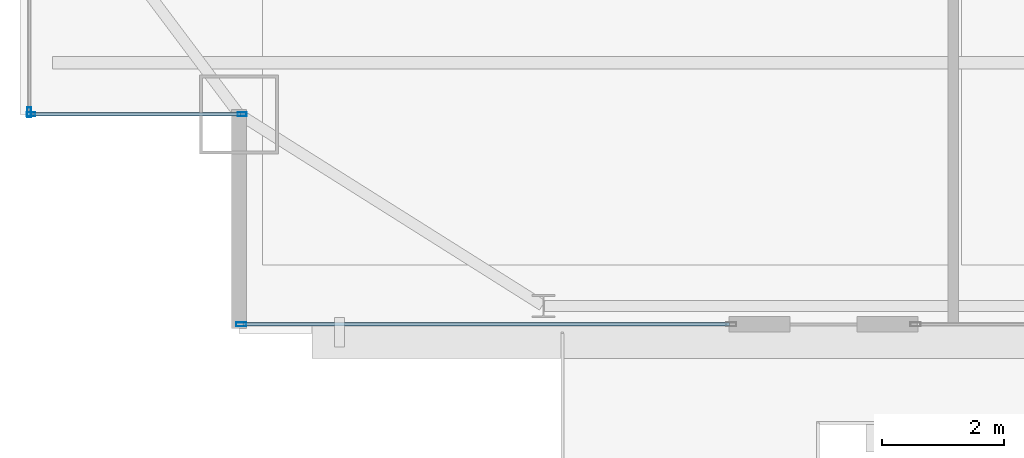
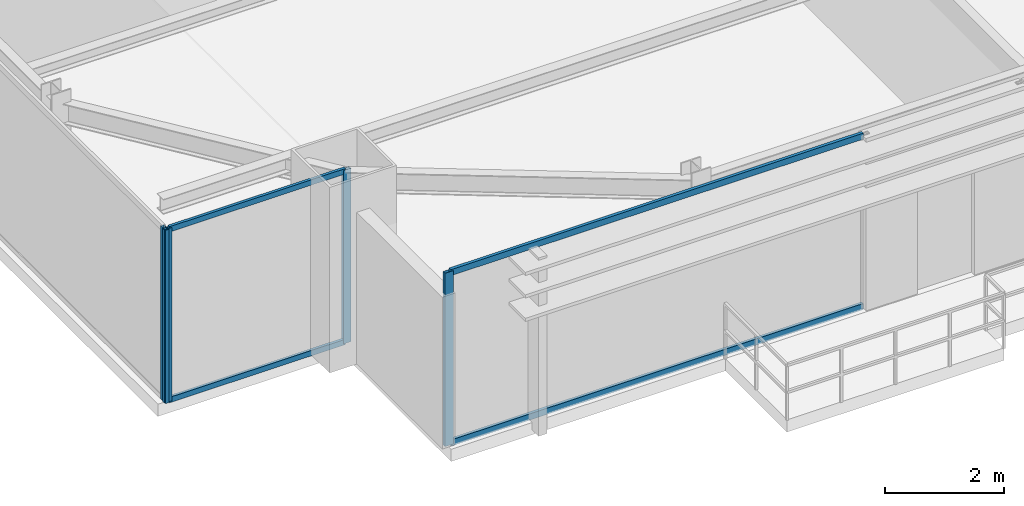
# One storey, part 4 of 31: 8 members, 3 elements without a shape of their own.
"""IFC4 building model written with IfcOpenShell, lengths in metres."""

from ifc_helpers import new_model, si_unit, direction, frame, origin, origin_2d, place, context, subcontext, project, spatial, hollow_rectangle, extrude, source, transform, mapped, material, layer, layer_set, material_profile, profile_set, type_object, type_shapes, element, aggregate, save


model = new_model("IFC4")

# Units and contexts
model_context = context("Model", 3, precision=1e-05, world=origin(), true_north=direction((0.0, 1.0)))
body_context = subcontext(model_context, "Body", "Model", "MODEL_VIEW")
ifc_project = project(units=[si_unit("LENGTHUNIT", "METRE"), si_unit("AREAUNIT", "SQUARE_METRE"), si_unit("VOLUMEUNIT", "CUBIC_METRE"), si_unit("PLANEANGLEUNIT", "RADIAN"), si_unit("MASSUNIT", "GRAM", prefix="KILO")], contexts=[model_context])

# Site, building, storey
site_placement = place(None, origin())
site = spatial("IfcSite", under=ifc_project, at=site_placement, CompositionType="ELEMENT")
building_placement = place(site_placement, origin())
building = spatial("IfcBuilding", under=site, at=building_placement, Name="Varnel Quay Broadcast Tower", CompositionType="ELEMENT")
storey_placement = place(building_placement, frame((0.0, 0.0, 153.39990234375)))
storey = spatial("IfcBuildingStorey", under=building, at=storey_placement, Name="L37", CompositionType="ELEMENT", Elevation=153.39990234375)

# Curtain wall, members
ifc_material = material(Name="Anodised Bronze Aluminium 6063-T6", Category="aluminium")
ifc_layer_1 = layer(ifc_material, 0.18994140625, Name="Anodised Bronze Aluminium 6063-T6")
ifc_layer_set_1 = layer_set([ifc_layer_1], Name="Anodised Bronze Aluminium 6063-T6")
curtain_wall_type_1 = type_object("IfcCurtainWallType", Name="CW_NotchCorner", PredefinedType="NOTDEFINED", material=ifc_layer_set_1)
curtain_wall_1_placement = place(storey_placement, origin())
curtain_wall_1 = element("IfcCurtainWall", 1, at=curtain_wall_1_placement, inside=storey, type_object=curtain_wall_type_1, Name="L37 SW Notch Curtain Wall", PredefinedType="NOTDEFINED")
ifc_material_profile_1 = material_profile(ifc_material, hollow_rectangle(XDim=0.054931640625, YDim=0.110107421875, WallThickness=0.0029296875, at=origin_2d()), Name="ALU55X110X3")
ifc_profile_set_1 = profile_set([ifc_material_profile_1], Name="Anodised Bronze Aluminium 6063-T6")
member_type_1 = type_object("IfcMemberType", Name="Tran_CWS-04", PredefinedType="USERDEFINED", material=ifc_profile_set_1)
shared_shape_1 = source(origin(), body_context, "Body", "SweptSolid", [
    extrude(hollow_rectangle(XDim=0.054931640625, YDim=0.110107421875, WallThickness=0.0029296875, at=origin_2d()), origin(), (0.0, 0.0, 1.0), 3.41015625),
])
type_shapes(member_type_1, [shared_shape_1])
member_1_placement = place(storey_placement, frame((7.2099609375, 10.800048828125, 0.027587890625), z_axis=(1.0, 0.0, 0.0), x_axis=(0.0, 1.0, 0.0)))
member_1 = element("IfcMember", 2, at=member_1_placement, type_object=member_type_1, Name="CWS-04 transom 1.1", ObjectType="TRANSOM", PredefinedType="USERDEFINED", context=body_context, shape_type="MappedRepresentation", body=[
    mapped(shared_shape_1, transform((0.0, 0.0, 0.0), x_axis=(1.0, 0.0, 0.0), y_axis=(0.0, 1.0, 0.0), z_axis=(0.0, 0.0, 1.0), scale=1.0)),
])
member_2_placement = place(storey_placement, frame((7.2099609375, 10.800048828125, 3.522705078125), z_axis=(1.0, 0.0, 0.0), x_axis=(0.0, 1.0, 0.0)))
member_2 = element("IfcMember", 3, at=member_2_placement, type_object=member_type_1, Name="CWS-04 transom 1.2", ObjectType="TRANSOM", PredefinedType="USERDEFINED", context=body_context, shape_type="MappedRepresentation", body=[
    mapped(shared_shape_1, transform((0.0, 0.0, 0.0), x_axis=(1.0, 0.0, 0.0), y_axis=(0.0, 1.0, 0.0), z_axis=(0.0, 0.0, 1.0), scale=1.0)),
])
ifc_material_profile_2 = material_profile(ifc_material, hollow_rectangle(XDim=0.06005859375, YDim=0.14501953125, WallThickness=0.00341796875, at=origin_2d()), Name="ALU60X145X3.5")
ifc_profile_set_2 = profile_set([ifc_material_profile_2], Name="Anodised Bronze Aluminium 6063-T6")
member_type_2 = type_object("IfcMemberType", Name="Mull_CWS-04", PredefinedType="MULLION", material=ifc_profile_set_2)
shared_shape_2 = source(origin(), body_context, "Body", "SweptSolid", [
    extrude(hollow_rectangle(XDim=0.06005859375, YDim=0.14501953125, WallThickness=0.00341796875, at=origin_2d()), origin(), (0.0, 0.0, 1.0), 3.550048828125),
])
type_shapes(member_type_2, [shared_shape_2])
member_3_placement = place(storey_placement, frame((7.179931640625, 10.800048828125, 0.0), z_axis=(0.0, 0.0, 1.0), x_axis=(0.0, 1.0, 0.0)))
member_3 = element("IfcMember", 4, at=member_3_placement, type_object=member_type_2, Name="CWS-04 mullion 1", PredefinedType="MULLION", context=body_context, shape_type="MappedRepresentation", body=[
    mapped(shared_shape_2, transform((0.0, 0.0, 0.0), x_axis=(1.0, 0.0, 0.0), y_axis=(0.0, 1.0, 0.0), z_axis=(0.0, 0.0, 1.0), scale=1.0)),
])
member_4_placement = place(storey_placement, frame((10.64990234375, 10.800048828125, 0.0), z_axis=(0.0, 0.0, 1.0), x_axis=(0.0, 1.0, 0.0)))
member_4 = element("IfcMember", 5, at=member_4_placement, type_object=member_type_2, Name="CWS-04 mullion 2", PredefinedType="MULLION", context=body_context, shape_type="MappedRepresentation", body=[
    mapped(shared_shape_2, transform((0.0, 0.0, 0.0), x_axis=(1.0, 0.0, 0.0), y_axis=(0.0, 1.0, 0.0), z_axis=(0.0, 0.0, 1.0), scale=1.0)),
])
aggregate(curtain_wall_1, [member_3, member_4, member_1, member_2])

# Curtain wall, member
ifc_layer_2 = layer(ifc_material, 0.18994140625, Name="Anodised Bronze Aluminium 6063-T6")
ifc_layer_set_2 = layer_set([ifc_layer_2], Name="Anodised Bronze Aluminium 6063-T6")
curtain_wall_type_2 = type_object("IfcCurtainWallType", Name="CW_UpperTower", PredefinedType="NOTDEFINED", material=ifc_layer_set_2)
curtain_wall_2_placement = place(storey_placement, origin())
curtain_wall_2 = element("IfcCurtainWall", 6, at=curtain_wall_2_placement, inside=storey, type_object=curtain_wall_type_2, Name="L37 South Unitised Curtain Wall 1", PredefinedType="NOTDEFINED")
ifc_material_profile_3 = material_profile(ifc_material, hollow_rectangle(XDim=0.06494140625, YDim=0.1650390625, WallThickness=0.00341796875, at=origin_2d()), Name="ALU65X165X3.5")
ifc_profile_set_3 = profile_set([ifc_material_profile_3], Name="Anodised Bronze Aluminium 6063-T6")
member_type_3 = type_object("IfcMemberType", Name="Mull_CWS-03", PredefinedType="MULLION", material=ifc_profile_set_3)
shared_shape_3 = source(origin(), body_context, "Body", "SweptSolid", [
    extrude(hollow_rectangle(XDim=0.06494140625, YDim=0.1650390625, WallThickness=0.00341796875, at=origin_2d()), origin(), (0.0, 0.0, 1.0), 3.550048828125),
])
type_shapes(member_type_3, [shared_shape_3])
member_5_placement = place(storey_placement, frame((10.632568359375, 7.35009765625, 0.0), z_axis=(0.0, 0.0, 1.0), x_axis=(0.0, 1.0, 0.0)))
member_5 = element("IfcMember", 7, at=member_5_placement, type_object=member_type_3, Name="CWS-03 mullion 1", PredefinedType="MULLION", context=body_context, shape_type="MappedRepresentation", body=[
    mapped(shared_shape_3, transform((0.0, 0.0, 0.0), x_axis=(1.0, 0.0, 0.0), y_axis=(0.0, 1.0, 0.0), z_axis=(0.0, 0.0, 1.0), scale=1.0)),
])

curtain_wall_3_placement = place(storey_placement, origin())
curtain_wall_3 = element("IfcCurtainWall", 8, at=curtain_wall_3_placement, inside=storey, type_object=curtain_wall_type_2, Name="L37 West Unitised Curtain Wall", PredefinedType="NOTDEFINED")
member_6_placement = place(storey_placement, frame((7.14990234375, 10.83251953125, 0.0), z_axis=(0.0, 0.0, 1.0), x_axis=(-1.0, 0.0, 0.0)))
member_6 = element("IfcMember", 9, at=member_6_placement, type_object=member_type_3, Name="CWS-03 mullion 1", PredefinedType="MULLION", context=body_context, shape_type="MappedRepresentation", body=[
    mapped(shared_shape_3, transform((0.0, 0.0, 0.0), x_axis=(1.0, 0.0, 0.0), y_axis=(0.0, 1.0, 0.0), z_axis=(0.0, 0.0, 1.0), scale=1.0)),
])
aggregate(curtain_wall_3, [member_6])

# Member
ifc_material_profile_4 = material_profile(ifc_material, hollow_rectangle(XDim=0.06005859375, YDim=0.125, WallThickness=0.0029296875, at=origin_2d()), Name="ALU60X125X3")
ifc_profile_set_4 = profile_set([ifc_material_profile_4], Name="Anodised Bronze Aluminium 6063-T6")
member_type_4 = type_object("IfcMemberType", Name="Tran_CWS-03", PredefinedType="USERDEFINED", material=ifc_profile_set_4)
shared_shape_4 = source(origin(), body_context, "Body", "SweptSolid", [
    extrude(hollow_rectangle(XDim=0.06005859375, YDim=0.125, WallThickness=0.0029296875, at=origin_2d()), origin(), (0.0, 0.0, 1.0), 7.989990234375),
])
type_shapes(member_type_4, [shared_shape_4])
member_7_placement = place(storey_placement, frame((10.6650390625, 7.35009765625, 0.030029296875), z_axis=(1.0, 0.0, 0.0), x_axis=(0.0, 1.0, 0.0)))
member_7 = element("IfcMember", 10, at=member_7_placement, type_object=member_type_4, Name="CWS-03 transom 1.1", ObjectType="TRANSOM", PredefinedType="USERDEFINED", context=body_context, shape_type="MappedRepresentation", body=[
    mapped(shared_shape_4, transform((0.0, 0.0, 0.0), x_axis=(1.0, 0.0, 0.0), y_axis=(0.0, 1.0, 0.0), z_axis=(0.0, 0.0, 1.0), scale=1.0)),
])

member_8_placement = place(storey_placement, frame((10.6650390625, 7.35009765625, 3.52001953125), z_axis=(1.0, 0.0, 0.0), x_axis=(0.0, 1.0, 0.0)))
member_8 = element("IfcMember", 11, at=member_8_placement, type_object=member_type_4, Name="CWS-03 transom 1.2", ObjectType="TRANSOM", PredefinedType="USERDEFINED", context=body_context, shape_type="MappedRepresentation", body=[
    mapped(shared_shape_4, transform((0.0, 0.0, 0.0), x_axis=(1.0, 0.0, 0.0), y_axis=(0.0, 1.0, 0.0), z_axis=(0.0, 0.0, 1.0), scale=1.0)),
])

aggregate(curtain_wall_2, [member_5, member_7, member_8])

save(model, "model.ifc")
